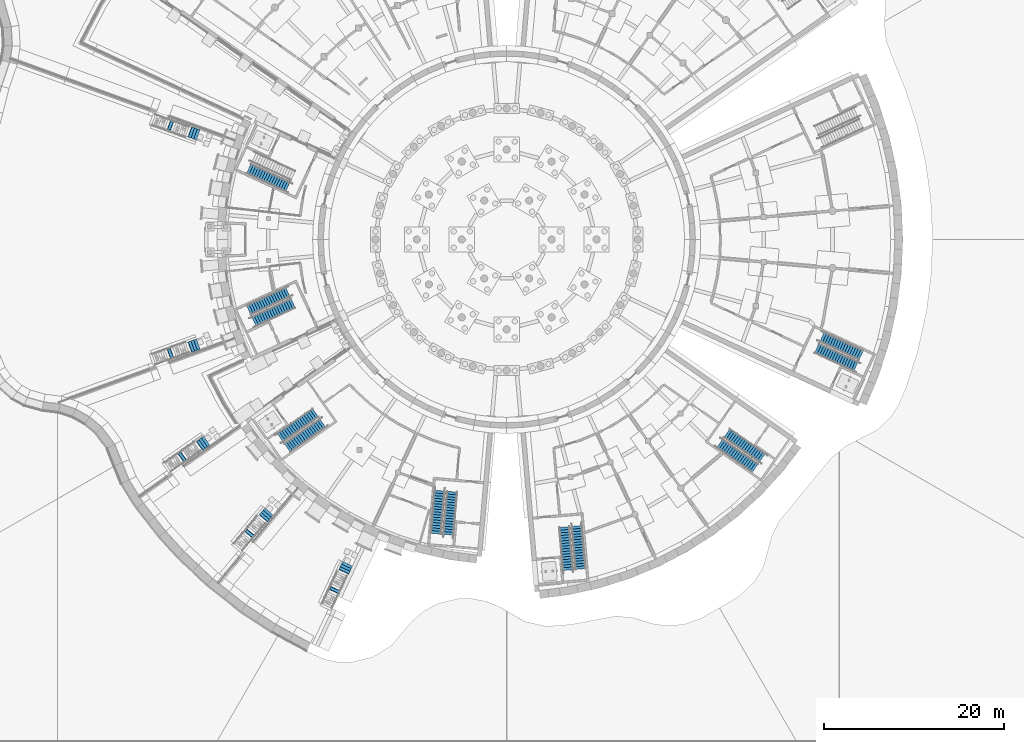
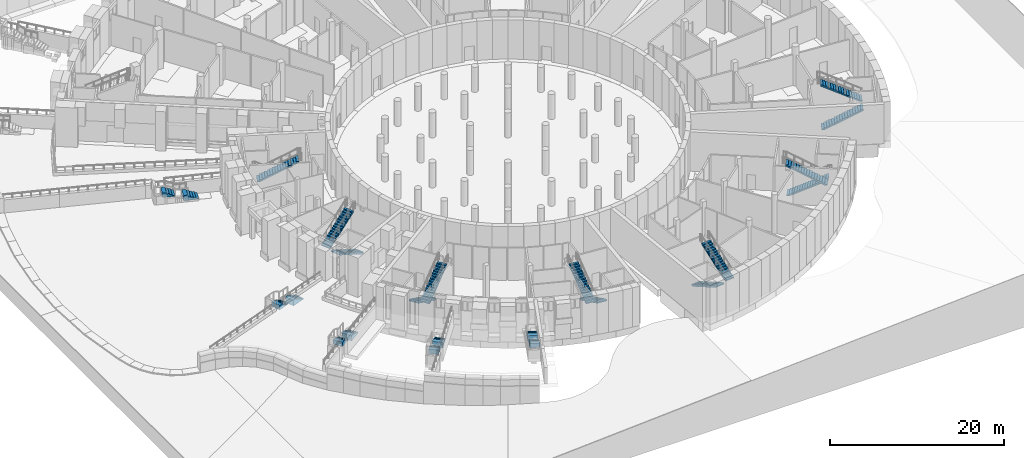
# One storey, part 49 of 65: 23 stair flights, 12 elements without a shape of their own.
"""IFC4 building model written with IfcOpenShell, lengths in metres."""

from ifc_helpers import new_model, si_unit, direction, frame, origin, place, context, subcontext, project, spatial, polyline, outline, extrude, material, type_object, element, aggregate, save


model = new_model("IFC4")

# Units and contexts
model_context = context("Model", 3, precision=1e-05, world=origin(), true_north=direction((0.0, 1.0)))
body_context = subcontext(model_context, "Body", "Model", "MODEL_VIEW")
ifc_project = project(units=[si_unit("LENGTHUNIT", "METRE"), si_unit("AREAUNIT", "SQUARE_METRE"), si_unit("VOLUMEUNIT", "CUBIC_METRE"), si_unit("PLANEANGLEUNIT", "RADIAN"), si_unit("MASSUNIT", "GRAM", prefix="KILO")], contexts=[model_context])

# Site, building, storey
site_placement = place(None, origin())
site = spatial("IfcSite", under=ifc_project, at=site_placement, CompositionType="ELEMENT")
building_placement = place(site_placement, origin())
building = spatial("IfcBuilding", under=site, at=building_placement, Name="Volute Hill Aquarium", CompositionType="ELEMENT")
storey_placement = place(building_placement, frame((0.0, 0.0, -5.5)))
storey = spatial("IfcBuildingStorey", under=building, at=storey_placement, Name="L00", CompositionType="ELEMENT", Elevation=-5.5)

# Stair, stair flights
ifc_material_1 = material(Name="Concrete C30/37", Category="concrete")
stair_type_1 = type_object("IfcStairType", Name="Outdoor stair", PredefinedType="STRAIGHT_RUN_STAIR", material=ifc_material_1)
stair_1_placement = place(storey_placement, origin())
stair_1 = element("IfcStair", 1, at=stair_1_placement, inside=storey, type_object=stair_type_1, Name="Outdoor stair 160", PredefinedType="STRAIGHT_RUN_STAIR")
ifc_material_2 = material(Name="Concrete C30/37", Category="concrete")
stair_flight_type_1 = type_object("IfcStairFlightType", Name="Outdoor stair flight C30/37", PredefinedType="STRAIGHT", material=ifc_material_2)
stair_flight_1_placement = place(storey_placement, frame((-34.33740234375, 11.646484375, 0.0), z_axis=(0.0, 0.0, 1.0), x_axis=(-0.93967322654, 0.342073423878, 0.0)))
stair_flight_1 = element("IfcStairFlight", 2, at=stair_flight_1_placement, type_object=stair_flight_type_1, Name="Outdoor stair 160 flight 1", PredefinedType="STRAIGHT", context=body_context, shape_type="SweptSolid", body=[
    extrude(outline(polyline([(0.0, 0.0), (1.780029296875, 0.0), (1.780029296875, 0.763916015625), (1.280029296875, 0.763916015625), (1.280029296875, 0.611083984375), (0.9599609375, 0.611083984375), (0.9599609375, 0.458251953125), (0.639892578125, 0.458251953125), (0.639892578125, 0.3056640625), (0.320068359375, 0.3056640625), (0.320068359375, 0.15283203125), (0.0, 0.15283203125), (0.0, 0.0), (0.0, 0.0)])), frame((0.0, 0.60009765625, 0.0), z_axis=(0.0, -1.0, 0.0), x_axis=(1.0, 0.0, 0.0)), (0.0, 0.0, 1.0), 1.199951171875),
])
stair_flight_2_placement = place(storey_placement, frame((-36.94970703125, 12.597412109375, 0.763916015625), z_axis=(0.0, 0.0, 1.0), x_axis=(-0.939720171257, 0.341944439541, 0.0)))
stair_flight_2 = element("IfcStairFlight", 3, at=stair_flight_2_placement, type_object=stair_flight_type_1, Name="Outdoor stair 160 flight 2", PredefinedType="STRAIGHT", context=body_context, shape_type="SweptSolid", body=[
    extrude(outline(polyline([(0.0, 0.0), (1.460205078125, 0.0), (1.4599609375, 0.611083984375), (0.9599609375, 0.611083984375), (0.9599609375, 0.458251953125), (0.639892578125, 0.458251953125), (0.639892578125, 0.305419921875), (0.320068359375, 0.305419921875), (0.320068359375, 0.15283203125), (0.0, 0.15283203125), (0.0, 0.0), (0.0, 0.0)])), frame((0.0, 0.60009765625, 0.0), z_axis=(0.0, -1.0, 0.0), x_axis=(1.0, 0.0, 0.0)), (0.0, 0.0, 1.0), 1.199951171875),
])
aggregate(stair_1, [stair_flight_1, stair_flight_2])

stair_2_placement = place(storey_placement, origin())
stair_2 = element("IfcStair", 4, at=stair_2_placement, inside=storey, type_object=stair_type_1, Name="Outdoor stair 200", PredefinedType="STRAIGHT_RUN_STAIR")
stair_flight_3_placement = place(storey_placement, frame((-34.33740234375, -11.646484375, 0.0), z_axis=(0.0, 0.0, 1.0), x_axis=(-0.93967322654, -0.342073423878, 0.0)))
stair_flight_3 = element("IfcStairFlight", 5, at=stair_flight_3_placement, type_object=stair_flight_type_1, Name="Outdoor stair 200 flight 1", PredefinedType="STRAIGHT", context=body_context, shape_type="SweptSolid", body=[
    extrude(outline(polyline([(0.0, 0.0), (1.780029296875, 0.0), (1.780029296875, 0.763916015625), (1.280029296875, 0.763916015625), (1.280029296875, 0.611083984375), (0.9599609375, 0.611083984375), (0.9599609375, 0.458251953125), (0.639892578125, 0.458251953125), (0.639892578125, 0.3056640625), (0.320068359375, 0.3056640625), (0.320068359375, 0.15283203125), (0.0, 0.15283203125), (0.0, 0.0), (0.0, 0.0)])), frame((0.0, 0.60009765625, 0.0), z_axis=(0.0, -1.0, 0.0), x_axis=(1.0, 0.0, 0.0)), (0.0, 0.0, 1.0), 1.199951171875),
])
stair_flight_4_placement = place(storey_placement, frame((-36.94970703125, -12.597412109375, 0.763916015625), z_axis=(0.0, 0.0, 1.0), x_axis=(-0.939720171257, -0.341944439541, 0.0)))
stair_flight_4 = element("IfcStairFlight", 6, at=stair_flight_4_placement, type_object=stair_flight_type_1, Name="Outdoor stair 200 flight 2", PredefinedType="STRAIGHT", context=body_context, shape_type="SweptSolid", body=[
    extrude(outline(polyline([(0.0, 0.0), (1.460205078125, 0.0), (1.4599609375, 0.611083984375), (0.9599609375, 0.611083984375), (0.9599609375, 0.458251953125), (0.639892578125, 0.458251953125), (0.639892578125, 0.305419921875), (0.320068359375, 0.305419921875), (0.320068359375, 0.15283203125), (0.0, 0.15283203125), (0.0, 0.0), (0.0, 0.0)])), frame((0.0, 0.60009765625, 0.0), z_axis=(0.0, -1.0, 0.0), x_axis=(1.0, 0.0, 0.0)), (0.0, 0.0, 1.0), 1.199951171875),
])
aggregate(stair_2, [stair_flight_3, stair_flight_4])

stair_3_placement = place(storey_placement, origin())
stair_3 = element("IfcStair", 7, at=stair_3_placement, inside=storey, type_object=stair_type_1, Name="Outdoor stair 215", PredefinedType="STRAIGHT_RUN_STAIR")
stair_flight_5_placement = place(storey_placement, frame((-33.388916015625, -22.402587890625, 1.375), z_axis=(0.0, 0.0, 1.0), x_axis=(-0.819193252626, -0.573517580246, 0.0)))
stair_flight_5 = element("IfcStairFlight", 8, at=stair_flight_5_placement, type_object=stair_flight_type_1, Name="Outdoor stair 215 flight 1", PredefinedType="STRAIGHT", context=body_context, shape_type="SweptSolid", body=[
    extrude(outline(polyline([(0.0, 0.0), (1.77978515625, 0.0), (1.780029296875, 0.763916015625), (1.280029296875, 0.763916015625), (1.280029296875, 0.611083984375), (0.9599609375, 0.611083984375), (0.9599609375, 0.458251953125), (0.639892578125, 0.458251953125), (0.639892578125, 0.3056640625), (0.320068359375, 0.3056640625), (0.320068359375, 0.15283203125), (0.0, 0.15283203125), (0.0, 0.0), (0.0, 0.0)])), frame((0.0, 0.60009765625, 0.0), z_axis=(0.0, -1.0, 0.0), x_axis=(1.0, 0.0, 0.0)), (0.0, 0.0, 1.0), 1.199951171875),
])
stair_flight_6_placement = place(storey_placement, frame((-35.666015625, -23.9970703125, 2.138916015625), z_axis=(0.0, 0.0, 1.0), x_axis=(-0.819176927213, -0.573540898212, 0.0)))
stair_flight_6 = element("IfcStairFlight", 9, at=stair_flight_6_placement, type_object=stair_flight_type_1, Name="Outdoor stair 215 flight 2", PredefinedType="STRAIGHT", context=body_context, shape_type="SweptSolid", body=[
    extrude(outline(polyline([(0.0, 0.0), (1.4599609375, 0.0), (1.4599609375, 0.611083984375), (0.9599609375, 0.611083984375), (0.9599609375, 0.458251953125), (0.639892578125, 0.458251953125), (0.639892578125, 0.305419921875), (0.320068359375, 0.305419921875), (0.320068359375, 0.15283203125), (0.0, 0.15283203125), (0.0, 0.0), (0.0, 0.0)])), frame((0.0, 0.60009765625, 0.0), z_axis=(0.0, -1.0, 0.0), x_axis=(1.0, 0.0, 0.0)), (0.0, 0.0, 1.0), 1.199951171875),
])
aggregate(stair_3, [stair_flight_5, stair_flight_6])

stair_4_placement = place(storey_placement, origin())
stair_4 = element("IfcStair", 10, at=stair_4_placement, inside=storey, type_object=stair_type_1, Name="Outdoor stair 230", PredefinedType="STRAIGHT_RUN_STAIR")
stair_flight_7_placement = place(storey_placement, frame((-26.452880859375, -30.28076171875, 2.75), z_axis=(0.0, 0.0, 1.0), x_axis=(-0.642838197892, -0.766001991728, 0.0)))
stair_flight_7 = element("IfcStairFlight", 11, at=stair_flight_7_placement, type_object=stair_flight_type_1, Name="Outdoor stair 230 flight 1", PredefinedType="STRAIGHT", context=body_context, shape_type="SweptSolid", body=[
    extrude(outline(polyline([(0.0, 0.0), (1.780029296875, 0.0), (1.780029296875, 0.763916015625), (1.280029296875, 0.763916015625), (1.280029296875, 0.611083984375), (0.9599609375, 0.611083984375), (0.9599609375, 0.458251953125), (0.639892578125, 0.458251953125), (0.639892578125, 0.3056640625), (0.320068359375, 0.3056640625), (0.320068359375, 0.15283203125), (0.0, 0.15283203125), (0.0, 0.0), (0.0, 0.0)])), frame((0.0, 0.60009765625, 0.0), z_axis=(0.0, -1.0, 0.0), x_axis=(1.0, 0.0, 0.0)), (0.0, 0.0, 1.0), 1.199951171875),
])
stair_flight_8_placement = place(storey_placement, frame((-28.23974609375, -32.410400390625, 3.513916015625), z_axis=(0.0, 0.0, 1.0), x_axis=(-0.642795910345, -0.766037477963, 0.0)))
stair_flight_8 = element("IfcStairFlight", 12, at=stair_flight_8_placement, type_object=stair_flight_type_1, Name="Outdoor stair 230 flight 2", PredefinedType="STRAIGHT", context=body_context, shape_type="SweptSolid", body=[
    extrude(outline(polyline([(0.0, 0.0), (1.4599609375, 0.0), (1.4599609375, 0.611083984375), (0.9599609375, 0.611083984375), (0.9599609375, 0.458251953125), (0.639892578125, 0.458251953125), (0.639892578125, 0.305419921875), (0.320068359375, 0.305419921875), (0.320068359375, 0.15283203125), (0.0, 0.15283203125), (0.0, 0.0), (0.0, 0.0)])), frame((0.0, 0.60009765625, 0.0), z_axis=(0.0, -1.0, 0.0), x_axis=(1.0, 0.0, 0.0)), (0.0, 0.0, 1.0), 1.199951171875),
])
aggregate(stair_4, [stair_flight_7, stair_flight_8])

stair_5_placement = place(storey_placement, origin())
stair_5 = element("IfcStair", 13, at=stair_5_placement, inside=storey, type_object=stair_type_1, Name="Outdoor stair 245", PredefinedType="STRAIGHT_RUN_STAIR")
stair_flight_9_placement = place(storey_placement, frame((-17.71435546875, -36.095458984375, 4.125), z_axis=(0.0, 0.0, 1.0), x_axis=(-0.422577590815, -0.90632675109, 0.0)))
stair_flight_9 = element("IfcStairFlight", 14, at=stair_flight_9_placement, type_object=stair_flight_type_1, Name="Outdoor stair 245 flight 1", PredefinedType="STRAIGHT", context=body_context, shape_type="SweptSolid", body=[
    extrude(outline(polyline([(0.0, 0.0), (1.780029296875, 0.0), (1.780029296875, 0.763916015625), (1.280029296875, 0.763916015625), (1.280029296875, 0.611083984375), (0.9599609375, 0.611083984375), (0.9599609375, 0.458251953125), (0.639892578125, 0.458251953125), (0.639892578125, 0.3056640625), (0.320068359375, 0.3056640625), (0.320068359375, 0.15283203125), (0.0, 0.15283203125), (0.0, 0.0), (0.0, 0.0)])), frame((0.0, 0.60009765625, 0.0), z_axis=(0.0, -1.0, 0.0), x_axis=(1.0, 0.0, 0.0)), (0.0, 0.0, 1.0), 1.199951171875),
])
stair_flight_10_placement = place(storey_placement, frame((-18.88916015625, -38.614990234375, 4.888916015625), z_axis=(0.0, 0.0, 1.0), x_axis=(-0.42256503554, -0.906332604919, 0.0)))
stair_flight_10 = element("IfcStairFlight", 15, at=stair_flight_10_placement, type_object=stair_flight_type_1, Name="Outdoor stair 245 flight 2", PredefinedType="STRAIGHT", context=body_context, shape_type="SweptSolid", body=[
    extrude(outline(polyline([(0.0, 0.0), (1.4599609375, 0.0), (1.4599609375, 0.611083984375), (0.9599609375, 0.611083984375), (0.9599609375, 0.458251953125), (0.639892578125, 0.458251953125), (0.639892578125, 0.305419921875), (0.320068359375, 0.305419921875), (0.320068359375, 0.15283203125), (0.0, 0.15283203125), (0.0, 0.0), (0.0, 0.0)])), frame((0.0, 0.60009765625, 0.0), z_axis=(0.0, -1.0, 0.0), x_axis=(1.0, 0.0, 0.0)), (0.0, 0.0, 1.0), 1.199951171875),
])
aggregate(stair_5, [stair_flight_9, stair_flight_10])

# Stair, stair flight
ifc_material_3 = material(Name="Concrete C35/45", Category="concrete")
stair_type_2 = type_object("IfcStairType", Name="Stair C35/45", PredefinedType="HALF_TURN_STAIR", material=ifc_material_3)
stair_6_placement = place(storey_placement, origin())
stair_6 = element("IfcStair", 16, at=stair_6_placement, inside=storey, type_object=stair_type_2, Name="ST/S1-A/L00", PredefinedType="HALF_TURN_STAIR")
ifc_material_4 = material(Name="Concrete C35/45", Category="concrete")
stair_flight_type_2 = type_object("IfcStairFlightType", Name="Stair flight C35/45", PredefinedType="STRAIGHT", material=ifc_material_4)
stair_flight_11_placement = place(storey_placement, frame((-28.713134765625, 7.872314453125, 2.75), z_axis=(0.0, 0.0, 1.0), x_axis=(0.906331248317, -0.422567945217, 0.0)))
stair_flight_11 = element("IfcStairFlight", 17, at=stair_flight_11_placement, type_object=stair_flight_type_2, Name="ST-S1-A-00 flight 2", NumberOfRisers=17, NumberOfTreads=16, PredefinedType="STRAIGHT", RiserHeight=0.161764706, TreadLength=0.3, context=body_context, shape_type="SweptSolid", body=[
    extrude(outline(polyline([(0.0, 0.0), (0.0, 0.161865234375), (0.300048828125, 0.161865234375), (0.300048828125, 0.323486328125), (0.60009765625, 0.323486328125), (0.60009765625, 0.4853515625), (0.89990234375, 0.4853515625), (0.89990234375, 0.64697265625), (1.199951171875, 0.64697265625), (1.199951171875, 0.808837890625), (1.5, 0.808837890625), (1.5, 0.970703125), (1.800048828125, 0.970703125), (1.800048828125, 1.13232421875), (2.10009765625, 1.13232421875), (2.10009765625, 1.294189453125), (2.39990234375, 1.294189453125), (2.39990234375, 1.455810546875), (2.699951171875, 1.455810546875), (2.699951171875, 1.61767578125), (3.0, 1.61767578125), (3.0, 1.779296875), (3.300048828125, 1.779296875), (3.300048828125, 1.941162109375), (3.60009765625, 1.941162109375), (3.60009765625, 2.10302734375), (3.89990234375, 2.10302734375), (3.89990234375, 2.2646484375), (4.199951171875, 2.2646484375), (4.199951171875, 2.426513671875), (4.5, 2.426513671875), (4.5, 2.588134765625), (4.800048828125, 2.588134765625), (4.800048828125, 2.75), (4.800048828125, 2.41796875), (0.31591796875, 0.0), (0.0, 0.0)])), frame((0.0, 0.60009765625, 0.0), z_axis=(0.0, -1.0, 0.0), x_axis=(1.0, 0.0, 0.0)), (0.0, 0.0, 1.0), 1.199951171875),
])
aggregate(stair_6, [stair_flight_11])

# Stair, stair flights
stair_7_placement = place(storey_placement, origin())
stair_7 = element("IfcStair", 18, at=stair_7_placement, inside=storey, type_object=stair_type_2, Name="ST/S1-B/L00", PredefinedType="HALF_TURN_STAIR")
stair_flight_12_placement = place(storey_placement, frame((-23.771240234375, -7.112548828125, 0.0), z_axis=(0.0, 0.0, 1.0), x_axis=(-0.906331248317, -0.422567945217, 0.0)))
stair_flight_12 = element("IfcStairFlight", 19, at=stair_flight_12_placement, type_object=stair_flight_type_2, Name="ST-S1-B-00 flight 1", NumberOfRisers=17, NumberOfTreads=16, PredefinedType="STRAIGHT", RiserHeight=0.161764706, TreadLength=0.3, context=body_context, shape_type="SweptSolid", body=[
    extrude(outline(polyline([(0.0, 0.0), (0.0, 0.161865234375), (0.300048828125, 0.161865234375), (0.300048828125, 0.323486328125), (0.60009765625, 0.323486328125), (0.60009765625, 0.4853515625), (0.89990234375, 0.4853515625), (0.89990234375, 0.64697265625), (1.199951171875, 0.64697265625), (1.199951171875, 0.808837890625), (1.5, 0.808837890625), (1.5, 0.970703125), (1.800048828125, 0.970703125), (1.800048828125, 1.13232421875), (2.10009765625, 1.13232421875), (2.10009765625, 1.294189453125), (2.39990234375, 1.294189453125), (2.39990234375, 1.455810546875), (2.699951171875, 1.455810546875), (2.699951171875, 1.61767578125), (3.0, 1.61767578125), (3.0, 1.779296875), (3.300048828125, 1.779296875), (3.300048828125, 1.941162109375), (3.60009765625, 1.941162109375), (3.60009765625, 2.10302734375), (3.89990234375, 2.10302734375), (3.89990234375, 2.2646484375), (4.199951171875, 2.2646484375), (4.199951171875, 2.426513671875), (4.5, 2.426513671875), (4.5, 2.588134765625), (4.800048828125, 2.588134765625), (4.800048828125, 2.75), (4.800048828125, 2.41796875), (0.31591796875, 0.0), (0.0, 0.0)])), frame((0.0, 0.60009765625, 0.0), z_axis=(0.0, -1.0, 0.0), x_axis=(1.0, 0.0, 0.0)), (0.0, 0.0, 1.0), 1.199951171875),
])
stair_flight_13_placement = place(storey_placement, frame((-28.713134765625, -7.872314453125, 2.75), z_axis=(0.0, 0.0, 1.0), x_axis=(0.906331248317, 0.422567945217, 0.0)))
stair_flight_13 = element("IfcStairFlight", 20, at=stair_flight_13_placement, type_object=stair_flight_type_2, Name="ST-S1-B-00 flight 2", NumberOfRisers=17, NumberOfTreads=16, PredefinedType="STRAIGHT", RiserHeight=0.161764706, TreadLength=0.3, context=body_context, shape_type="SweptSolid", body=[
    extrude(outline(polyline([(0.0, 0.0), (0.0, 0.161865234375), (0.300048828125, 0.161865234375), (0.300048828125, 0.323486328125), (0.60009765625, 0.323486328125), (0.60009765625, 0.4853515625), (0.89990234375, 0.4853515625), (0.89990234375, 0.64697265625), (1.199951171875, 0.64697265625), (1.199951171875, 0.808837890625), (1.5, 0.808837890625), (1.5, 0.970703125), (1.800048828125, 0.970703125), (1.800048828125, 1.13232421875), (2.10009765625, 1.13232421875), (2.10009765625, 1.294189453125), (2.39990234375, 1.294189453125), (2.39990234375, 1.455810546875), (2.699951171875, 1.455810546875), (2.699951171875, 1.61767578125), (3.0, 1.61767578125), (3.0, 1.779296875), (3.300048828125, 1.779296875), (3.300048828125, 1.941162109375), (3.60009765625, 1.941162109375), (3.60009765625, 2.10302734375), (3.89990234375, 2.10302734375), (3.89990234375, 2.2646484375), (4.199951171875, 2.2646484375), (4.199951171875, 2.426513671875), (4.5, 2.426513671875), (4.5, 2.588134765625), (4.800048828125, 2.588134765625), (4.800048828125, 2.75), (4.800048828125, 2.41796875), (0.31591796875, 0.0), (0.0, 0.0)])), frame((0.0, 0.60009765625, 0.0), z_axis=(0.0, -1.0, 0.0), x_axis=(1.0, 0.0, 0.0)), (0.0, 0.0, 1.0), 1.199951171875),
])
aggregate(stair_7, [stair_flight_12, stair_flight_13])

stair_8_placement = place(storey_placement, origin())
stair_8 = element("IfcStair", 21, at=stair_8_placement, inside=storey, type_object=stair_type_2, Name="ST/S2-A/L00", PredefinedType="HALF_TURN_STAIR")
stair_flight_14_placement = place(storey_placement, frame((-21.281005859375, -19.2958984375, 0.0), z_axis=(0.0, 0.0, 1.0), x_axis=(-0.819203731484, -0.573502612306, 0.0)))
stair_flight_14 = element("IfcStairFlight", 22, at=stair_flight_14_placement, type_object=stair_flight_type_2, Name="ST-S2-A-00 flight 1", NumberOfRisers=17, NumberOfTreads=16, PredefinedType="STRAIGHT", RiserHeight=0.161764706, TreadLength=0.3, context=body_context, shape_type="SweptSolid", body=[
    extrude(outline(polyline([(0.0, 0.0), (0.0, 0.161865234375), (0.300048828125, 0.161865234375), (0.300048828125, 0.323486328125), (0.60009765625, 0.323486328125), (0.60009765625, 0.4853515625), (0.89990234375, 0.4853515625), (0.89990234375, 0.64697265625), (1.199951171875, 0.64697265625), (1.199951171875, 0.808837890625), (1.5, 0.808837890625), (1.5, 0.970703125), (1.800048828125, 0.970703125), (1.800048828125, 1.13232421875), (2.10009765625, 1.13232421875), (2.10009765625, 1.294189453125), (2.39990234375, 1.294189453125), (2.39990234375, 1.455810546875), (2.699951171875, 1.455810546875), (2.699951171875, 1.61767578125), (3.0, 1.61767578125), (3.0, 1.779296875), (3.300048828125, 1.779296875), (3.300048828125, 1.941162109375), (3.60009765625, 1.941162109375), (3.60009765625, 2.10302734375), (3.89990234375, 2.10302734375), (3.89990234375, 2.2646484375), (4.199951171875, 2.2646484375), (4.199951171875, 2.426513671875), (4.5, 2.426513671875), (4.5, 2.588134765625), (4.800048828125, 2.588134765625), (4.800048828125, 2.75), (4.800048828125, 2.41796875), (0.31591796875, 0.0), (0.0, 0.0)])), frame((0.0, 0.60009765625, 0.0), z_axis=(0.0, -1.0, 0.0), x_axis=(1.0, 0.0, 0.0)), (0.0, 0.0, 1.0), 1.199951171875),
])
stair_flight_15_placement = place(storey_placement, frame((-24.409912109375, -23.19580078125, 2.75), z_axis=(0.0, 0.0, 1.0), x_axis=(0.819203731484, 0.573502612306, 0.0)))
stair_flight_15 = element("IfcStairFlight", 23, at=stair_flight_15_placement, type_object=stair_flight_type_2, Name="ST-S2-A-00 flight 2", NumberOfRisers=17, NumberOfTreads=16, PredefinedType="STRAIGHT", RiserHeight=0.161764706, TreadLength=0.3, context=body_context, shape_type="SweptSolid", body=[
    extrude(outline(polyline([(0.0, 0.0), (0.0, 0.161865234375), (0.300048828125, 0.161865234375), (0.300048828125, 0.323486328125), (0.60009765625, 0.323486328125), (0.60009765625, 0.4853515625), (0.89990234375, 0.4853515625), (0.89990234375, 0.64697265625), (1.199951171875, 0.64697265625), (1.199951171875, 0.808837890625), (1.5, 0.808837890625), (1.5, 0.970703125), (1.800048828125, 0.970703125), (1.800048828125, 1.13232421875), (2.10009765625, 1.13232421875), (2.10009765625, 1.294189453125), (2.39990234375, 1.294189453125), (2.39990234375, 1.455810546875), (2.699951171875, 1.455810546875), (2.699951171875, 1.61767578125), (3.0, 1.61767578125), (3.0, 1.779296875), (3.300048828125, 1.779296875), (3.300048828125, 1.941162109375), (3.60009765625, 1.941162109375), (3.60009765625, 2.10302734375), (3.89990234375, 2.10302734375), (3.89990234375, 2.2646484375), (4.199951171875, 2.2646484375), (4.199951171875, 2.426513671875), (4.5, 2.426513671875), (4.5, 2.588134765625), (4.800048828125, 2.588134765625), (4.800048828125, 2.75), (4.800048828125, 2.41796875), (0.31591796875, 0.0), (0.0, 0.0)])), frame((0.0, 0.60009765625, 0.0), z_axis=(0.0, -1.0, 0.0), x_axis=(1.0, 0.0, 0.0)), (0.0, 0.0, 1.0), 1.199951171875),
])
aggregate(stair_8, [stair_flight_14, stair_flight_15])

stair_9_placement = place(storey_placement, origin())
stair_9 = element("IfcStair", 24, at=stair_9_placement, inside=storey, type_object=stair_type_2, Name="ST/S2-B/L00", PredefinedType="HALF_TURN_STAIR")
stair_flight_16_placement = place(storey_placement, frame((-6.0703125, -28.077880859375, 0.0), z_axis=(0.0, 0.0, 1.0), x_axis=(-0.087099962987, -0.996199576615, 0.0)))
stair_flight_16 = element("IfcStairFlight", 25, at=stair_flight_16_placement, type_object=stair_flight_type_2, Name="ST-S2-B-00 flight 1", NumberOfRisers=17, NumberOfTreads=16, PredefinedType="STRAIGHT", RiserHeight=0.161764706, TreadLength=0.3, context=body_context, shape_type="SweptSolid", body=[
    extrude(outline(polyline([(0.0, 0.0), (0.0, 0.161865234375), (0.300048828125, 0.161865234375), (0.300048828125, 0.323486328125), (0.60009765625, 0.323486328125), (0.60009765625, 0.4853515625), (0.89990234375, 0.4853515625), (0.89990234375, 0.64697265625), (1.199951171875, 0.64697265625), (1.199951171875, 0.808837890625), (1.5, 0.808837890625), (1.5, 0.970703125), (1.800048828125, 0.970703125), (1.800048828125, 1.13232421875), (2.10009765625, 1.13232421875), (2.10009765625, 1.294189453125), (2.39990234375, 1.294189453125), (2.39990234375, 1.455810546875), (2.699951171875, 1.455810546875), (2.699951171875, 1.61767578125), (3.0, 1.61767578125), (3.0, 1.779296875), (3.300048828125, 1.779296875), (3.300048828125, 1.941162109375), (3.60009765625, 1.941162109375), (3.60009765625, 2.10302734375), (3.89990234375, 2.10302734375), (3.89990234375, 2.2646484375), (4.199951171875, 2.2646484375), (4.199951171875, 2.426513671875), (4.5, 2.426513671875), (4.5, 2.588134765625), (4.800048828125, 2.588134765625), (4.800048828125, 2.75), (4.800048828125, 2.41796875), (0.31591796875, 0.0), (0.0, 0.0)])), frame((0.0, 0.60009765625, 0.0), z_axis=(0.0, -1.0, 0.0), x_axis=(1.0, 0.0, 0.0)), (0.0, 0.0, 1.0), 1.199951171875),
])
stair_flight_17_placement = place(storey_placement, frame((-7.88330078125, -32.737548828125, 2.75), z_axis=(0.0, 0.0, 1.0), x_axis=(0.087099962987, 0.996199576615, 0.0)))
stair_flight_17 = element("IfcStairFlight", 26, at=stair_flight_17_placement, type_object=stair_flight_type_2, Name="ST-S2-B-00 flight 2", NumberOfRisers=17, NumberOfTreads=16, PredefinedType="STRAIGHT", RiserHeight=0.161764706, TreadLength=0.3, context=body_context, shape_type="SweptSolid", body=[
    extrude(outline(polyline([(0.0, 0.0), (0.0, 0.161865234375), (0.300048828125, 0.161865234375), (0.300048828125, 0.323486328125), (0.60009765625, 0.323486328125), (0.60009765625, 0.4853515625), (0.89990234375, 0.4853515625), (0.89990234375, 0.64697265625), (1.199951171875, 0.64697265625), (1.199951171875, 0.808837890625), (1.5, 0.808837890625), (1.5, 0.970703125), (1.800048828125, 0.970703125), (1.800048828125, 1.13232421875), (2.10009765625, 1.13232421875), (2.10009765625, 1.294189453125), (2.39990234375, 1.294189453125), (2.39990234375, 1.455810546875), (2.699951171875, 1.455810546875), (2.699951171875, 1.61767578125), (3.0, 1.61767578125), (3.0, 1.779296875), (3.300048828125, 1.779296875), (3.300048828125, 1.941162109375), (3.60009765625, 1.941162109375), (3.60009765625, 2.10302734375), (3.89990234375, 2.10302734375), (3.89990234375, 2.2646484375), (4.199951171875, 2.2646484375), (4.199951171875, 2.426513671875), (4.5, 2.426513671875), (4.5, 2.588134765625), (4.800048828125, 2.588134765625), (4.800048828125, 2.75), (4.800048828125, 2.41796875), (0.31591796875, 0.0), (0.0, 0.0)])), frame((0.0, 0.60009765625, 0.0), z_axis=(0.0, -1.0, 0.0), x_axis=(1.0, 0.0, 0.0)), (0.0, 0.0, 1.0), 1.199951171875),
])
aggregate(stair_9, [stair_flight_16, stair_flight_17])

stair_10_placement = place(storey_placement, origin())
stair_10 = element("IfcStair", 27, at=stair_10_placement, inside=storey, type_object=stair_type_2, Name="ST/S3-A/L00", PredefinedType="HALF_TURN_STAIR")
stair_flight_18_placement = place(storey_placement, frame((6.41455078125, -32.0126953125, 0.0), z_axis=(0.0, 0.0, 1.0), x_axis=(0.087199203008, -0.996190894856, 0.0)))
stair_flight_18 = element("IfcStairFlight", 28, at=stair_flight_18_placement, type_object=stair_flight_type_2, Name="ST-S3-A-00 flight 1", NumberOfRisers=17, NumberOfTreads=16, PredefinedType="STRAIGHT", RiserHeight=0.161764706, TreadLength=0.3, context=body_context, shape_type="SweptSolid", body=[
    extrude(outline(polyline([(0.0, 0.0), (0.0, 0.161865234375), (0.300048828125, 0.161865234375), (0.300048828125, 0.323486328125), (0.60009765625, 0.323486328125), (0.60009765625, 0.4853515625), (0.89990234375, 0.4853515625), (0.89990234375, 0.64697265625), (1.199951171875, 0.64697265625), (1.199951171875, 0.808837890625), (1.5, 0.808837890625), (1.5, 0.970703125), (1.800048828125, 0.970703125), (1.800048828125, 1.13232421875), (2.10009765625, 1.13232421875), (2.10009765625, 1.294189453125), (2.39990234375, 1.294189453125), (2.39990234375, 1.455810546875), (2.699951171875, 1.455810546875), (2.699951171875, 1.61767578125), (3.0, 1.61767578125), (3.0, 1.779296875), (3.300048828125, 1.779296875), (3.300048828125, 1.941162109375), (3.60009765625, 1.941162109375), (3.60009765625, 2.10302734375), (3.89990234375, 2.10302734375), (3.89990234375, 2.2646484375), (4.199951171875, 2.2646484375), (4.199951171875, 2.426513671875), (4.5, 2.426513671875), (4.5, 2.588134765625), (4.800048828125, 2.588134765625), (4.800048828125, 2.75), (4.800048828125, 2.41796875), (0.31591796875, 0.0), (0.0, 0.0)])), frame((0.0, 0.60009765625, 0.0), z_axis=(0.0, -1.0, 0.0), x_axis=(1.0, 0.0, 0.0)), (0.0, 0.0, 1.0), 1.199951171875),
])
stair_flight_19_placement = place(storey_placement, frame((8.2275390625, -36.672607421875, 2.75), z_axis=(0.0, 0.0, 1.0), x_axis=(-0.087199203008, 0.996190894856, 0.0)))
stair_flight_19 = element("IfcStairFlight", 29, at=stair_flight_19_placement, type_object=stair_flight_type_2, Name="ST-S3-A-00 flight 2", NumberOfRisers=17, NumberOfTreads=16, PredefinedType="STRAIGHT", RiserHeight=0.161764706, TreadLength=0.3, context=body_context, shape_type="SweptSolid", body=[
    extrude(outline(polyline([(0.0, 0.0), (0.0, 0.161865234375), (0.300048828125, 0.161865234375), (0.300048828125, 0.323486328125), (0.60009765625, 0.323486328125), (0.60009765625, 0.4853515625), (0.89990234375, 0.4853515625), (0.89990234375, 0.64697265625), (1.199951171875, 0.64697265625), (1.199951171875, 0.808837890625), (1.5, 0.808837890625), (1.5, 0.970703125), (1.800048828125, 0.970703125), (1.800048828125, 1.13232421875), (2.10009765625, 1.13232421875), (2.10009765625, 1.294189453125), (2.39990234375, 1.294189453125), (2.39990234375, 1.455810546875), (2.699951171875, 1.455810546875), (2.699951171875, 1.61767578125), (3.0, 1.61767578125), (3.0, 1.779296875), (3.300048828125, 1.779296875), (3.300048828125, 1.941162109375), (3.60009765625, 1.941162109375), (3.60009765625, 2.10302734375), (3.89990234375, 2.10302734375), (3.89990234375, 2.2646484375), (4.199951171875, 2.2646484375), (4.199951171875, 2.426513671875), (4.5, 2.426513671875), (4.5, 2.588134765625), (4.800048828125, 2.588134765625), (4.800048828125, 2.75), (4.800048828125, 2.41796875), (0.31591796875, 0.0), (0.0, 0.0)])), frame((0.0, 0.60009765625, 0.0), z_axis=(0.0, -1.0, 0.0), x_axis=(1.0, 0.0, 0.0)), (0.0, 0.0, 1.0), 1.199951171875),
])
aggregate(stair_10, [stair_flight_18, stair_flight_19])

stair_11_placement = place(storey_placement, origin())
stair_11 = element("IfcStair", 30, at=stair_11_placement, inside=storey, type_object=stair_type_2, Name="ST/S3-B/L00", PredefinedType="HALF_TURN_STAIR")
stair_flight_20_placement = place(storey_placement, frame((24.5166015625, -21.5615234375, 0.0), z_axis=(0.0, 0.0, 1.0), x_axis=(0.81912384914, -0.573616701091, 0.0)))
stair_flight_20 = element("IfcStairFlight", 31, at=stair_flight_20_placement, type_object=stair_flight_type_2, Name="ST-S3-B-00 flight 1", NumberOfRisers=17, NumberOfTreads=16, PredefinedType="STRAIGHT", RiserHeight=0.161764706, TreadLength=0.3, context=body_context, shape_type="SweptSolid", body=[
    extrude(outline(polyline([(0.0, 0.0), (0.0, 0.161865234375), (0.300048828125, 0.161865234375), (0.300048828125, 0.323486328125), (0.60009765625, 0.323486328125), (0.60009765625, 0.4853515625), (0.89990234375, 0.4853515625), (0.89990234375, 0.64697265625), (1.199951171875, 0.64697265625), (1.199951171875, 0.808837890625), (1.5, 0.808837890625), (1.5, 0.970703125), (1.800048828125, 0.970703125), (1.800048828125, 1.13232421875), (2.10009765625, 1.13232421875), (2.10009765625, 1.294189453125), (2.39990234375, 1.294189453125), (2.39990234375, 1.455810546875), (2.699951171875, 1.455810546875), (2.699951171875, 1.61767578125), (3.0, 1.61767578125), (3.0, 1.779296875), (3.300048828125, 1.779296875), (3.300048828125, 1.941162109375), (3.60009765625, 1.941162109375), (3.60009765625, 2.10302734375), (3.89990234375, 2.10302734375), (3.89990234375, 2.2646484375), (4.199951171875, 2.2646484375), (4.199951171875, 2.426513671875), (4.5, 2.426513671875), (4.5, 2.588134765625), (4.800048828125, 2.588134765625), (4.800048828125, 2.75), (4.800048828125, 2.41796875), (0.31591796875, 0.0), (0.0, 0.0)])), frame((0.0, 0.60009765625, 0.0), z_axis=(0.0, -1.0, 0.0), x_axis=(1.0, 0.0, 0.0)), (0.0, 0.0, 1.0), 1.199951171875),
])
stair_flight_21_placement = place(storey_placement, frame((27.6455078125, -25.46142578125, 2.75), z_axis=(0.0, 0.0, 1.0), x_axis=(-0.81912384914, 0.573616701091, 0.0)))
stair_flight_21 = element("IfcStairFlight", 32, at=stair_flight_21_placement, type_object=stair_flight_type_2, Name="ST-S3-B-00 flight 2", NumberOfRisers=17, NumberOfTreads=16, PredefinedType="STRAIGHT", RiserHeight=0.161764706, TreadLength=0.3, context=body_context, shape_type="SweptSolid", body=[
    extrude(outline(polyline([(0.0, 0.0), (0.0, 0.161865234375), (0.300048828125, 0.161865234375), (0.300048828125, 0.323486328125), (0.60009765625, 0.323486328125), (0.60009765625, 0.4853515625), (0.89990234375, 0.4853515625), (0.89990234375, 0.64697265625), (1.199951171875, 0.64697265625), (1.199951171875, 0.808837890625), (1.5, 0.808837890625), (1.5, 0.970703125), (1.800048828125, 0.970703125), (1.800048828125, 1.13232421875), (2.10009765625, 1.13232421875), (2.10009765625, 1.294189453125), (2.39990234375, 1.294189453125), (2.39990234375, 1.455810546875), (2.699951171875, 1.455810546875), (2.699951171875, 1.61767578125), (3.0, 1.61767578125), (3.0, 1.779296875), (3.300048828125, 1.779296875), (3.300048828125, 1.941162109375), (3.60009765625, 1.941162109375), (3.60009765625, 2.10302734375), (3.89990234375, 2.10302734375), (3.89990234375, 2.2646484375), (4.199951171875, 2.2646484375), (4.199951171875, 2.426513671875), (4.5, 2.426513671875), (4.5, 2.588134765625), (4.800048828125, 2.588134765625), (4.800048828125, 2.75), (4.800048828125, 2.41796875), (0.31591796875, 0.0), (0.0, 0.0)])), frame((0.0, 0.60009765625, 0.0), z_axis=(0.0, -1.0, 0.0), x_axis=(1.0, 0.0, 0.0)), (0.0, 0.0, 1.0), 1.199951171875),
])
aggregate(stair_11, [stair_flight_20, stair_flight_21])

stair_12_placement = place(storey_placement, origin())
stair_12 = element("IfcStair", 33, at=stair_12_placement, inside=storey, type_object=stair_type_2, Name="ST/S4-A/L00", PredefinedType="HALF_TURN_STAIR")
stair_flight_22_placement = place(storey_placement, frame((34.510986328125, -12.12060546875, 0.0), z_axis=(0.0, 0.0, 1.0), x_axis=(0.906313390882, -0.422606244047, 0.0)))
stair_flight_22 = element("IfcStairFlight", 34, at=stair_flight_22_placement, type_object=stair_flight_type_2, Name="ST-S4-A-00 flight 1", NumberOfRisers=17, NumberOfTreads=16, PredefinedType="STRAIGHT", RiserHeight=0.161764706, TreadLength=0.3, context=body_context, shape_type="SweptSolid", body=[
    extrude(outline(polyline([(0.0, 0.0), (0.0, 0.161865234375), (0.300048828125, 0.161865234375), (0.300048828125, 0.323486328125), (0.60009765625, 0.323486328125), (0.60009765625, 0.4853515625), (0.89990234375, 0.4853515625), (0.89990234375, 0.64697265625), (1.199951171875, 0.64697265625), (1.199951171875, 0.808837890625), (1.5, 0.808837890625), (1.5, 0.970703125), (1.800048828125, 0.970703125), (1.800048828125, 1.13232421875), (2.10009765625, 1.13232421875), (2.10009765625, 1.294189453125), (2.39990234375, 1.294189453125), (2.39990234375, 1.455810546875), (2.699951171875, 1.455810546875), (2.699951171875, 1.61767578125), (3.0, 1.61767578125), (3.0, 1.779296875), (3.300048828125, 1.779296875), (3.300048828125, 1.941162109375), (3.60009765625, 1.941162109375), (3.60009765625, 2.10302734375), (3.89990234375, 2.10302734375), (3.89990234375, 2.2646484375), (4.199951171875, 2.2646484375), (4.199951171875, 2.426513671875), (4.5, 2.426513671875), (4.5, 2.588134765625), (4.800048828125, 2.588134765625), (4.800048828125, 2.75), (4.800048828125, 2.41796875), (0.31591796875, 0.0), (0.0, 0.0)])), frame((0.0, 0.60009765625, 0.0), z_axis=(0.0, -1.0, 0.0), x_axis=(1.0, 0.0, 0.0)), (0.0, 0.0, 1.0), 1.199951171875),
])
stair_flight_23_placement = place(storey_placement, frame((39.452880859375, -12.88037109375, 2.75), z_axis=(0.0, 0.0, 1.0), x_axis=(-0.906313390882, 0.422606244047, 0.0)))
stair_flight_23 = element("IfcStairFlight", 35, at=stair_flight_23_placement, type_object=stair_flight_type_2, Name="ST-S4-A-00 flight 2", NumberOfRisers=17, NumberOfTreads=16, PredefinedType="STRAIGHT", RiserHeight=0.161764706, TreadLength=0.3, context=body_context, shape_type="SweptSolid", body=[
    extrude(outline(polyline([(0.0, 0.0), (0.0, 0.161865234375), (0.300048828125, 0.161865234375), (0.300048828125, 0.323486328125), (0.60009765625, 0.323486328125), (0.60009765625, 0.4853515625), (0.89990234375, 0.4853515625), (0.89990234375, 0.64697265625), (1.199951171875, 0.64697265625), (1.199951171875, 0.808837890625), (1.5, 0.808837890625), (1.5, 0.970703125), (1.800048828125, 0.970703125), (1.800048828125, 1.13232421875), (2.10009765625, 1.13232421875), (2.10009765625, 1.294189453125), (2.39990234375, 1.294189453125), (2.39990234375, 1.455810546875), (2.699951171875, 1.455810546875), (2.699951171875, 1.61767578125), (3.0, 1.61767578125), (3.0, 1.779296875), (3.300048828125, 1.779296875), (3.300048828125, 1.941162109375), (3.60009765625, 1.941162109375), (3.60009765625, 2.10302734375), (3.89990234375, 2.10302734375), (3.89990234375, 2.2646484375), (4.199951171875, 2.2646484375), (4.199951171875, 2.426513671875), (4.5, 2.426513671875), (4.5, 2.588134765625), (4.800048828125, 2.588134765625), (4.800048828125, 2.75), (4.800048828125, 2.41796875), (0.31591796875, 0.0), (0.0, 0.0)])), frame((0.0, 0.60009765625, 0.0), z_axis=(0.0, -1.0, 0.0), x_axis=(1.0, 0.0, 0.0)), (0.0, 0.0, 1.0), 1.199951171875),
])
aggregate(stair_12, [stair_flight_22, stair_flight_23])

save(model, "model.ifc")
